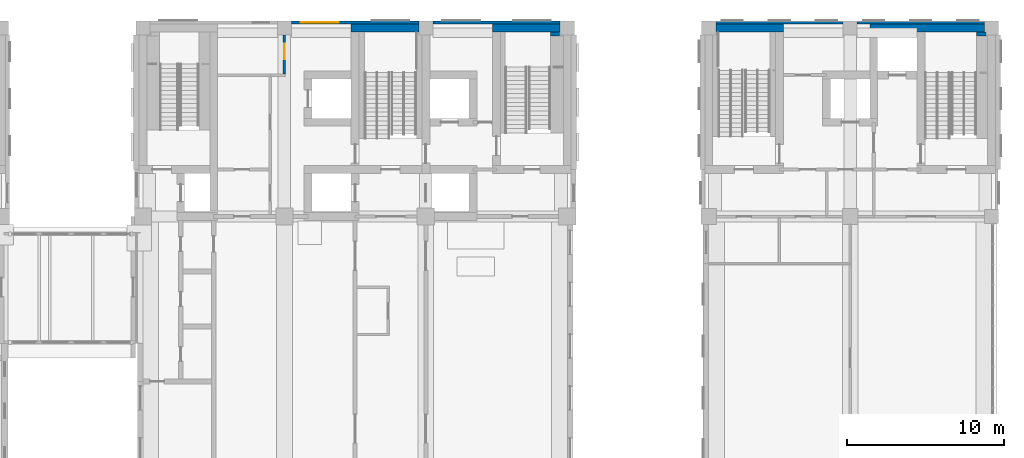
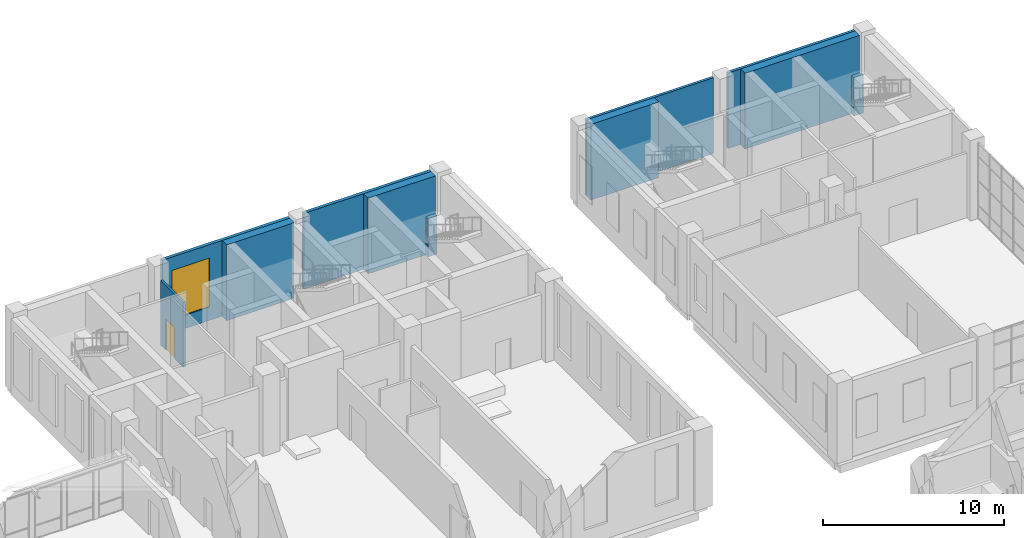
# One storey, part 39 of 52: 11 walls, 1 door, 1 window, 2 openings.
"""IFC4 building model written with IfcOpenShell, lengths in metres."""

from ifc_helpers import new_model, si_unit, direction, frame, frame_2d, origin, place, context, subcontext, project, spatial, rectangle, extrude, material, layer, layer_set, type_object, element, fill, save


model = new_model("IFC4")

# Units and contexts
model_context = context("Model", 3, precision=1e-05, world=origin(), true_north=direction((0.0, 1.0)))
body_context = subcontext(model_context, "Body", "Model", "MODEL_VIEW")
ifc_project = project(units=[si_unit("LENGTHUNIT", "METRE"), si_unit("AREAUNIT", "SQUARE_METRE"), si_unit("VOLUMEUNIT", "CUBIC_METRE"), si_unit("PLANEANGLEUNIT", "RADIAN"), si_unit("MASSUNIT", "GRAM", prefix="KILO")], contexts=[model_context])

# Site, building, storey
site_placement = place(None, origin())
site = spatial("IfcSite", under=ifc_project, at=site_placement, CompositionType="ELEMENT")
building_placement = place(site_placement, origin())
building = spatial("IfcBuilding", under=site, at=building_placement, Name="Aurelan Courthouse", CompositionType="ELEMENT")
storey_placement = place(building_placement, frame((0.0, 0.0, 6.60009765625)))
storey = spatial("IfcBuildingStorey", under=building, at=storey_placement, Name="L01", CompositionType="ELEMENT", Elevation=6.60009765625)

# Wall, opening, door
ifc_material_1 = material(Name="Gypsum board on metal studs")
ifc_layer_1 = layer(ifc_material_1, 0.14990234375)
ifc_layer_set_1 = layer_set([ifc_layer_1], Name="Gypsum board on metal studs")
wall_type_1 = type_object("IfcWallType", Name="Corridor partition 150 EI 60", PredefinedType="PARTITIONING", material=ifc_layer_set_1)
wall_1_placement = place(storey_placement, frame((45.0, 63.074951171875, 0.0), z_axis=(0.0, 0.0, 1.0), x_axis=(0.0, 1.0, 0.0)))
wall_1 = element("IfcWall", 1, at=wall_1_placement, inside=storey, type_object=wall_type_1, Name="Corridor partition L01-096", PredefinedType="PARTITIONING", context=body_context, shape_type="SweptSolid", body=[
    extrude(rectangle(XDim=2.47509765625, YDim=0.14990234375, at=frame_2d((1.237548828125, 0.0))), origin(), (0.0, 0.0, 1.0), 4.349853515625),
])
opening_1_placement = place(wall_1_placement, frame((0.925048828125, 0.0, 0.0)))
opening_1 = element("IfcOpeningElement", 2, at=opening_1_placement, cuts=wall_1, Name="Opening D-L01-034", PredefinedType="OPENING", context=body_context, shape_type="SweptSolid", body=[
    extrude(rectangle(XDim=1.0, YDim=2.10009765625, at=frame_2d((0.5, 1.050048828125))), frame((0.0, 0.0849609375, 0.0), z_axis=(0.0, -1.0, 0.0), x_axis=(1.0, 0.0, 0.0)), (0.0, 0.0, 1.0), 0.169921875),
])
ifc_material_2 = material(Name="Steel", Category="steel")
door_type = type_object("IfcDoorType", Name="Single door 1000 x 2100 FD60", OperationType="SINGLE_SWING_LEFT", PredefinedType="DOOR", material=ifc_material_2)
door_placement = place(opening_1_placement, origin())
door = element("IfcDoor", 3, at=door_placement, inside=storey, type_object=door_type, Name="Single door D-L01-034", OperationType="SINGLE_SWING_LEFT", OverallHeight=2.10009765625, OverallWidth=1.0, PredefinedType="DOOR", context=body_context, shape_type="SweptSolid", body=[
    extrude(rectangle(XDim=1.0, YDim=2.10009765625, at=frame_2d((0.5, 1.050048828125))), frame((0.0, 0.02490234375, 0.0), z_axis=(0.0, -1.0, 0.0), x_axis=(1.0, 0.0, 0.0)), (0.0, 0.0, 1.0), 0.050048828125),
])
fill(opening_1, door)

# Wall, opening, window
ifc_material_3 = material(Name="Granite cladding", Category="masonry")
ifc_layer_2 = layer(ifc_material_3, 0.054931640625, Name="Facing")
ifc_material_4 = material(Name="Ventilated cavity")
ifc_layer_3 = layer(ifc_material_4, 0.02490234375, ventilated=True, Name="Ventilated cavity")
ifc_material_5 = material(Name="Mineral wool insulation")
ifc_layer_4 = layer(ifc_material_5, 0.030029296875, Name="Insulation")
ifc_material_6 = material(Name="Concrete C30", Category="concrete")
ifc_layer_5 = layer(ifc_material_6, 0.090087890625, Name="Structure")
ifc_layer_set_2 = layer_set([ifc_layer_2, ifc_layer_3, ifc_layer_4, ifc_layer_5], Name="Concrete C30")
wall_type_2 = type_object("IfcWallType", Name="Courtroom Block granite-faced wall 200", PredefinedType="SOLIDWALL", material=ifc_layer_set_2)
wall_2_placement = place(storey_placement, frame((45.449951171875, 66.35009765625, 0.0), z_axis=(0.0, 0.0, 1.0), x_axis=(1.0, 0.0, 0.0)))
wall_2 = element("IfcWall", 4, at=wall_2_placement, inside=storey, type_object=wall_type_2, Name="Facade wall FW-V2-L01-004", PredefinedType="SOLIDWALL", context=body_context, shape_type="SweptSolid", body=[
    extrude(rectangle(XDim=8.10009765625, YDim=0.199951171875, at=frame_2d((4.050048828125, 0.0))), origin(), (0.0, 0.0, 1.0), 5.099853515625),
])
opening_2_placement = place(wall_2_placement, frame((0.60009765625, 0.0, 0.89990234375)))
opening_2 = element("IfcOpeningElement", 5, at=opening_2_placement, cuts=wall_2, Name="Opening WN-V2-L01-006", PredefinedType="OPENING", context=body_context, shape_type="SweptSolid", body=[
    extrude(rectangle(XDim=2.39990234375, YDim=3.300048828125, at=frame_2d((1.199951171875, 1.64990234375))), frame((0.0, 0.10986328125, 0.0), z_axis=(0.0, -1.0, 0.0), x_axis=(1.0, 0.0, 0.0)), (0.0, 0.0, 1.0), 0.219970703125),
])
ifc_material_7 = material(Name="Bronze-finished aluminium and glass", Category="aluminium")
window_type = type_object("IfcWindowType", Name="Courtroom Block window 2400 x 3300, sill 900", PartitioningType="SINGLE_PANEL", PredefinedType="WINDOW", material=ifc_material_7)
window_placement = place(opening_2_placement, origin())
window = element("IfcWindow", 6, at=window_placement, inside=storey, type_object=window_type, Name="Window WN-V2-L01-006", OverallHeight=3.300048828125, OverallWidth=2.39990234375, PartitioningType="SINGLE_PANEL", PredefinedType="WINDOW", context=body_context, shape_type="SweptSolid", body=[
    extrude(rectangle(XDim=2.39990234375, YDim=3.300048828125, at=frame_2d((1.199951171875, 1.64990234375))), frame((0.0, 0.030029296875, 0.0), z_axis=(0.0, -1.0, 0.0), x_axis=(1.0, 0.0, 0.0)), (0.0, 0.0, 1.0), 0.06005859375),
])
fill(opening_2, window)

# Walls
wall_3_placement = place(storey_placement, frame((54.449951171875, 66.35009765625, 0.0), z_axis=(0.0, 0.0, 1.0), x_axis=(1.0, 0.0, 0.0)))
element("IfcWall", 7, at=wall_3_placement, inside=storey, type_object=wall_type_2, Name="Facade wall FW-V2-L01-005", PredefinedType="SOLIDWALL", context=body_context, shape_type="SweptSolid", body=[
    extrude(rectangle(XDim=8.10009765625, YDim=0.199951171875, at=frame_2d((4.050048828125, 0.0))), origin(), (0.0, 0.0, 1.0), 5.099853515625),
])
ifc_layer_6 = layer(ifc_material_3, 0.050048828125, Name="Facing")
ifc_layer_7 = layer(ifc_material_4, 0.02490234375, ventilated=True, Name="Ventilated cavity")
ifc_layer_8 = layer(ifc_material_5, 0.02490234375, Name="Insulation")
ifc_layer_9 = layer(ifc_material_6, 0.070068359375, Name="Structure")
ifc_layer_set_3 = layer_set([ifc_layer_6, ifc_layer_7, ifc_layer_8, ifc_layer_9], Name="Concrete C30")
wall_type_3 = type_object("IfcWallType", Name="Law Library granite-faced wall 170", PredefinedType="SOLIDWALL", material=ifc_layer_set_3)
for number, where, z_axis, x_axis, name in (
    (8, (72.449951171875, 66.3349609375, 0.0), (0.0, 0.0, 1.0), (1.0, 0.0, 0.0), "Facade wall FW-V3-L01-002"),
    (9, (81.449951171875, 66.3349609375, 0.0), (0.0, 0.0, 1.0), (1.0, 0.0, 0.0), "Facade wall FW-V3-L01-003"),
):
    element("IfcWall", number, at=place(storey_placement, frame(where, z_axis=z_axis, x_axis=x_axis)), inside=storey, type_object=wall_type_3, Name=name, PredefinedType="SOLIDWALL", context=body_context, shape_type="SweptSolid", body=[
        extrude(rectangle(XDim=8.10009765625, YDim=0.169921875, at=frame_2d((4.050048828125, 0.0))), origin(), (0.0, 0.0, 1.0), 5.099853515625),
    ])
ifc_material_8 = material(Name="Concrete C50", Category="concrete")
ifc_layer_10 = layer(ifc_material_8, 0.5)
ifc_layer_set_4 = layer_set([ifc_layer_10], Name="Concrete C50")
wall_type_4 = type_object("IfcWallType", Name="RC shear wall 500", PredefinedType="SHEAR", material=ifc_layer_set_4)
for number, where, z_axis, x_axis, name in (
    (10, (49.25, 66.0, 0.0), (0.0, 0.0, 1.0), (1.0, 0.0, 0.0), "Core wall SW-L01-085"),
    (11, (58.25, 66.0, 0.0), (0.0, 0.0, 1.0), (1.0, 0.0, 0.0), "Core wall SW-L01-086"),
    (12, (72.449951171875, 66.0, 0.0), (0.0, 0.0, 1.0), (1.0, 0.0, 0.0), "Core wall SW-L01-087"),
):
    element("IfcWall", number, at=place(storey_placement, frame(where, z_axis=z_axis, x_axis=x_axis)), inside=storey, type_object=wall_type_4, Name=name, PredefinedType="SHEAR", context=body_context, shape_type="SweptSolid", body=[
        extrude(rectangle(XDim=4.300048828125, YDim=0.5, at=frame_2d((2.14990234375, 0.0))), origin(), (0.0, 0.0, 1.0), 5.099853515625),
    ])
wall_4_placement = place(storey_placement, frame((82.25, 66.0, 0.0), z_axis=(0.0, 0.0, 1.0), x_axis=(1.0, 0.0, 0.0)))
element("IfcWall", 13, at=wall_4_placement, inside=storey, type_object=wall_type_4, Name="Core wall SW-L01-088", PredefinedType="SHEAR", context=body_context, shape_type="SweptSolid", body=[
    extrude(rectangle(XDim=7.300048828125, YDim=0.5, at=frame_2d((3.64990234375, 0.0))), origin(), (0.0, 0.0, 1.0), 5.099853515625),
])
ifc_layer_11 = layer(ifc_material_6, 0.56005859375)
ifc_layer_set_5 = layer_set([ifc_layer_11], Name="Concrete C30")
wall_type_5 = type_object("IfcWallType", Name="Stair well wall 560 EI 120 load-bearing", PredefinedType="SHEAR", material=ifc_layer_set_5)
wall_5_placement = place(storey_placement, frame((62.219970703125, 65.5, 0.0), z_axis=(0.0, 0.0, 1.0), x_axis=(0.0, 1.0, 0.0)))
element("IfcWall", 14, at=wall_5_placement, inside=storey, type_object=wall_type_5, Name="Stair well wall ST-2E-L01 B2", PredefinedType="SHEAR", context=body_context, shape_type="SweptSolid", body=[
    extrude(rectangle(XDim=0.25, YDim=0.56005859375, at=frame_2d((0.125, 0.0))), origin(), (0.0, 0.0, 1.0), 2.5869140625),
])
ifc_layer_12 = layer(ifc_material_6, 0.60009765625)
ifc_layer_set_6 = layer_set([ifc_layer_12], Name="Concrete C30")
wall_type_6 = type_object("IfcWallType", Name="Stair well wall 600 EI 120 load-bearing", PredefinedType="SHEAR", material=ifc_layer_set_6)
wall_6_placement = place(storey_placement, frame((89.35009765625, 65.5, 0.0), z_axis=(0.0, 0.0, 1.0), x_axis=(0.0, 1.0, 0.0)))
element("IfcWall", 15, at=wall_6_placement, inside=storey, type_object=wall_type_6, Name="Stair well wall ST-3B-L01 B2", PredefinedType="SHEAR", context=body_context, shape_type="SweptSolid", body=[
    extrude(rectangle(XDim=0.25, YDim=0.60009765625, at=frame_2d((0.125, 0.0))), origin(), (0.0, 0.0, 1.0), 2.5869140625),
])

save(model, "model.ifc")
